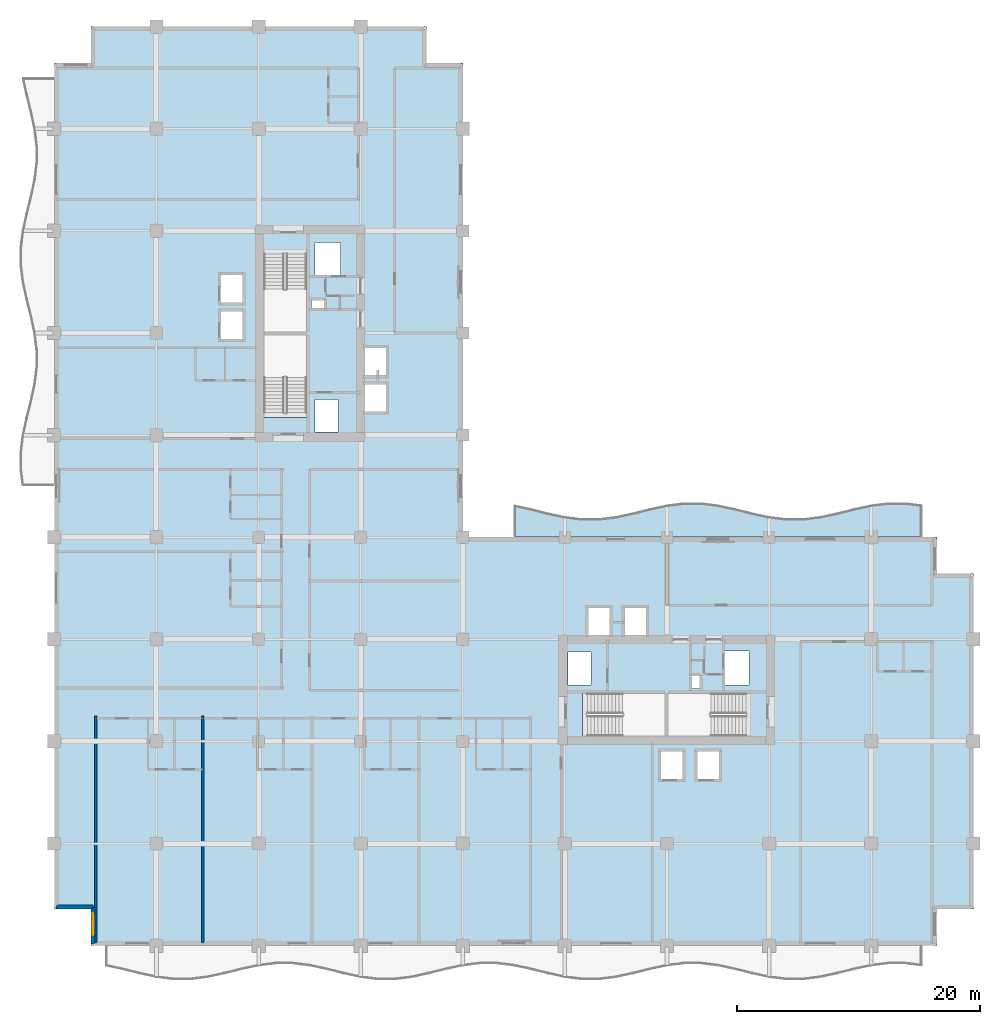
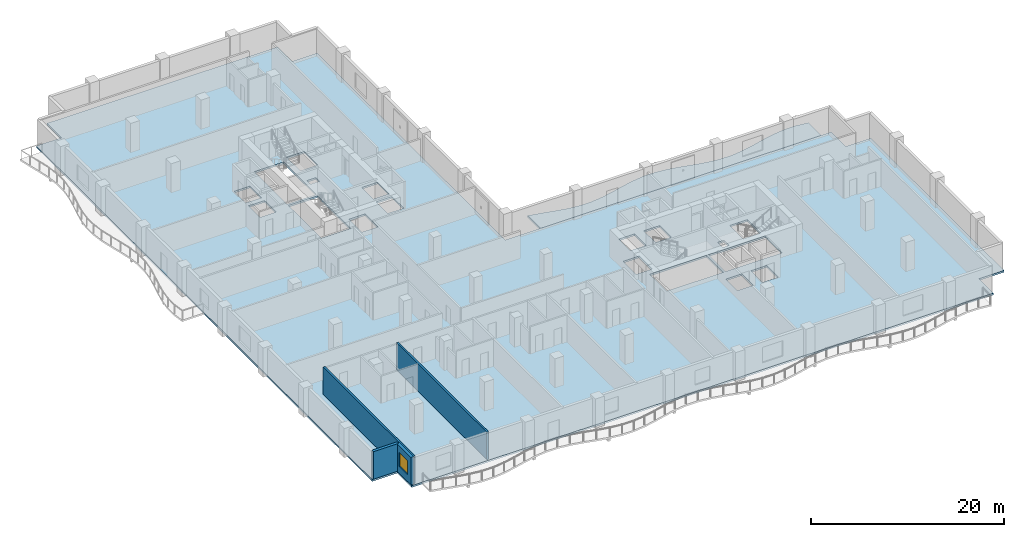
# One storey, part 3 of 16: 4 walls, 2 slabs, 1 window, 1 opening.
"""IFC4 building model written with IfcOpenShell, lengths in metres."""

from ifc_helpers import new_model, si_unit, direction, frame, frame_2d, origin, place, context, subcontext, project, spatial, polyline, rectangle, outline, extrude, material, layer, layer_set, type_object, element, fill, save


model = new_model("IFC4")

# Units and contexts
model_context = context("Model", 3, precision=1e-05, world=origin(), true_north=direction((0.0, 1.0)))
body_context = subcontext(model_context, "Body", "Model", "MODEL_VIEW")
ifc_project = project(units=[si_unit("LENGTHUNIT", "METRE"), si_unit("AREAUNIT", "SQUARE_METRE"), si_unit("VOLUMEUNIT", "CUBIC_METRE"), si_unit("PLANEANGLEUNIT", "RADIAN"), si_unit("MASSUNIT", "GRAM", prefix="KILO")], contexts=[model_context])

# Site, building, storey
site_placement = place(None, origin())
site = spatial("IfcSite", under=ifc_project, at=site_placement, CompositionType="ELEMENT")
building_placement = place(site_placement, origin())
building = spatial("IfcBuilding", under=site, at=building_placement, Name="Koriwani Terraces Tower", CompositionType="ELEMENT")
storey_placement = place(building_placement, frame((0.0, 0.0, 171.699951171875)))
storey = spatial("IfcBuildingStorey", under=building, at=storey_placement, Name="L41", CompositionType="ELEMENT", Elevation=171.699951171875)

# Slabs
ifc_material_1 = material(Name="Concrete C40/50", Category="concrete")
ifc_layer_1 = layer(ifc_material_1, 0.219970703125, Name="Concrete C40/50")
ifc_layer_set_1 = layer_set([ifc_layer_1], Name="Concrete C40/50")
slab_type_1 = type_object("IfcSlabType", Name="SLAB_BALCONY_220", PredefinedType="FLOOR", material=ifc_layer_set_1)
slab_1_placement = place(storey_placement, frame((0.0, 0.0, -0.219970703125)))
element("IfcSlab", 1, at=slab_1_placement, inside=storey, type_object=slab_type_1, Name="L41 Quilted Circular-Arc Balcony (NE)", PredefinedType="FLOOR", context=body_context, shape_type="SweptSolid", body=[
    extrude(outline(polyline([(71.39990234375, 33.60009765625), (70.0, 33.60009765625), (68.60009765625, 33.60009765625), (67.199951171875, 33.60009765625), (65.800048828125, 33.60009765625), (64.39990234375, 33.60009765625), (63.0, 33.60009765625), (61.60009765625, 33.60009765625), (60.199951171875, 33.60009765625), (58.800048828125, 33.60009765625), (57.39990234375, 33.60009765625), (56.0, 33.60009765625), (54.60009765625, 33.60009765625), (53.199951171875, 33.60009765625), (51.800048828125, 33.60009765625), (50.39990234375, 33.60009765625), (49.0, 33.60009765625), (47.60009765625, 33.60009765625), (46.199951171875, 33.60009765625), (44.800048828125, 33.60009765625), (43.39990234375, 33.60009765625), (42.0, 33.60009765625), (40.60009765625, 33.60009765625), (39.199951171875, 33.60009765625), (37.800048828125, 33.60009765625), (37.800048828125, 36.252197265625), (39.199951171875, 35.94970703125), (40.60009765625, 35.600341796875), (42.0, 35.297607421875), (43.39990234375, 35.123046875), (44.800048828125, 35.123046875), (46.199951171875, 35.297607421875), (47.60009765625, 35.600341796875), (49.0, 35.94970703125), (50.39990234375, 36.252197265625), (51.800048828125, 36.427001953125), (53.199951171875, 36.427001953125), (54.60009765625, 36.252197265625), (56.0, 35.94970703125), (57.39990234375, 35.600341796875), (58.800048828125, 35.297607421875), (60.199951171875, 35.123046875), (61.60009765625, 35.123046875), (63.0, 35.297607421875), (64.39990234375, 35.600341796875), (65.800048828125, 35.94970703125), (67.199951171875, 36.252197265625), (68.60009765625, 36.427001953125), (70.0, 36.427001953125), (71.39990234375, 36.252197265625), (71.39990234375, 33.60009765625)])), origin(), (0.0, 0.0, 1.0), 0.219970703125),
])
ifc_layer_2 = layer(ifc_material_1, 0.22998046875, Name="Concrete C40/50")
ifc_layer_set_2 = layer_set([ifc_layer_2], Name="Concrete C40/50")
slab_type_2 = type_object("IfcSlabType", Name="SLAB_RES_TYP_230", PredefinedType="FLOOR", material=ifc_layer_set_2)
slab_2_placement = place(storey_placement, frame((0.0, 0.0, -0.22998046875)))
element("IfcSlab", 2, at=slab_2_placement, inside=storey, type_object=slab_type_2, Name="L41 Structural Floor Slab", PredefinedType="FLOOR", context=body_context, shape_type="SweptSolid", body=[
    extrude(outline(polyline([(3.0, 0.0), (72.60009765625, 0.0), (72.60009765625, 3.0), (75.60009765625, 3.0), (75.60009765625, 30.60009765625), (72.60009765625, 30.60009765625), (72.60009765625, 33.60009765625), (33.60009765625, 33.60009765625), (33.60009765625, 72.60009765625), (30.60009765625, 72.60009765625), (30.60009765625, 75.60009765625), (3.0, 75.60009765625), (3.0, 72.60009765625), (0.0, 72.60009765625), (0.0, 3.0), (3.0, 3.0), (3.0, 0.0)]), holes=[polyline([(17.25, 43.4599609375), (20.75, 43.4599609375), (20.75, 50.25), (17.25, 50.25), (17.25, 43.4599609375)]), polyline([(17.25, 50.5), (20.75, 50.5), (20.75, 57.2900390625), (17.25, 57.2900390625), (17.25, 50.5)]), polyline([(43.4599609375, 17.25), (50.25, 17.25), (50.25, 20.75), (43.4599609375, 20.75), (43.4599609375, 17.25)]), polyline([(50.5, 17.25), (57.2900390625, 17.25), (57.2900390625, 20.75), (50.5, 20.75), (50.5, 17.25)]), polyline([(13.64990234375, 49.85009765625), (15.550048828125, 49.85009765625), (15.550048828125, 52.25), (13.64990234375, 52.25), (13.64990234375, 49.85009765625)]), polyline([(13.64990234375, 52.85009765625), (15.550048828125, 52.85009765625), (15.550048828125, 55.25), (13.64990234375, 55.25), (13.64990234375, 52.85009765625)]), polyline([(49.85009765625, 13.64990234375), (51.75, 13.64990234375), (51.75, 16.050048828125), (49.85009765625, 16.050048828125), (49.85009765625, 13.64990234375)]), polyline([(52.85009765625, 13.64990234375), (54.75, 13.64990234375), (54.75, 16.050048828125), (52.85009765625, 16.050048828125), (52.85009765625, 13.64990234375)]), polyline([(25.449951171875, 43.85009765625), (27.35009765625, 43.85009765625), (27.35009765625, 46.25), (25.449951171875, 46.25), (25.449951171875, 43.85009765625)]), polyline([(25.449951171875, 46.85009765625), (27.35009765625, 46.85009765625), (27.35009765625, 49.25), (25.449951171875, 49.25), (25.449951171875, 46.85009765625)]), polyline([(43.85009765625, 25.449951171875), (45.75, 25.449951171875), (45.75, 27.85009765625), (43.85009765625, 27.85009765625), (43.85009765625, 25.449951171875)]), polyline([(46.85009765625, 25.449951171875), (48.75, 25.449951171875), (48.75, 27.85009765625), (46.85009765625, 27.85009765625), (46.85009765625, 25.449951171875)]), polyline([(21.449951171875, 55.050048828125), (23.550048828125, 55.050048828125), (23.550048828125, 57.85009765625), (21.449951171875, 57.85009765625), (21.449951171875, 55.050048828125)]), polyline([(55.050048828125, 21.449951171875), (57.14990234375, 21.449951171875), (57.14990234375, 24.25), (55.050048828125, 24.25), (55.050048828125, 21.449951171875)]), polyline([(21.449951171875, 42.25), (23.35009765625, 42.25), (23.35009765625, 44.949951171875), (21.449951171875, 44.949951171875), (21.449951171875, 42.25)]), polyline([(42.25, 21.449951171875), (44.14990234375, 21.449951171875), (44.14990234375, 24.14990234375), (42.25, 24.14990234375), (42.25, 21.449951171875)]), polyline([(21.14990234375, 52.419921875), (22.219970703125, 52.419921875), (22.219970703125, 53.179931640625), (21.14990234375, 53.179931640625), (21.14990234375, 52.419921875)]), polyline([(52.419921875, 21.14990234375), (53.179931640625, 21.14990234375), (53.179931640625, 22.219970703125), (52.419921875, 22.219970703125), (52.419921875, 21.14990234375)])]), origin(), (0.0, 0.0, 1.0), 0.22998046875),
])

# Walls
ifc_material_2 = material(Name="Autoclaved Cellular Concrete Blockwork", Category="masonry")
ifc_layer_3 = layer(ifc_material_2, 0.219970703125, Name="Autoclaved Cellular Concrete Blockwork")
ifc_layer_set_3 = layer_set([ifc_layer_3], Name="Autoclaved Cellular Concrete Blockwork")
wall_type_1 = type_object("IfcWallType", Name="WALL_DEMISING_220", PredefinedType="PARTITIONING", material=ifc_layer_set_3)
for number, where, z_axis, x_axis, name in (
    (3, (3.39990234375, 0.199951171875, 0.0), (0.0, 0.0, 1.0), (0.0, 1.0, 0.0), "L41 Interior Wall WRDEM-L41-SW-0"),
    (4, (12.199951171875, 0.199951171875, 0.0), (0.0, 0.0, 1.0), (0.0, 1.0, 0.0), "L41 Interior Wall WRDEM-L41-SW-1"),
):
    element("IfcWall", number, at=place(storey_placement, frame(where, z_axis=z_axis, x_axis=x_axis)), inside=storey, type_object=wall_type_1, Name=name, PredefinedType="PARTITIONING", context=body_context, shape_type="SweptSolid", body=[
        extrude(rectangle(XDim=18.679931640625, YDim=0.219970703125, at=frame_2d((9.33984375, 0.0))), origin(), (0.0, 0.0, 1.0), 3.469970703125),
    ])

# Wall, opening, window
ifc_material_3 = material(Name="Concrete C50/60", Category="concrete")
ifc_layer_4 = layer(ifc_material_3, 0.35009765625, Name="Concrete C50/60")
ifc_layer_set_4 = layer_set([ifc_layer_4], Name="Concrete C50/60")
wall_type_2 = type_object("IfcWallType", Name="WALL_EXT_BRUTALIST_350", PredefinedType="STANDARD", material=ifc_layer_set_4)
wall_1_placement = place(storey_placement, frame((3.175048828125, 0.175048828125, 0.0), z_axis=(0.0, 0.0, 1.0), x_axis=(0.0, 1.0, 0.0)))
wall_1 = element("IfcWall", 5, at=wall_1_placement, inside=storey, type_object=wall_type_2, Name="L41 Fair-Faced Brutalist Exterior Wall (N0)", PredefinedType="STANDARD", context=body_context, shape_type="SweptSolid", body=[
    extrude(rectangle(XDim=3.0, YDim=0.35009765625, at=frame_2d((1.5, 0.0))), origin(), (0.0, 0.0, 1.0), 3.469970703125),
])
opening_placement = place(wall_1_placement, frame((0.677490234375, 0.0, 0.85009765625)))
opening = element("IfcOpeningElement", 6, at=opening_placement, cuts=wall_1, Name="Opening W-04", PredefinedType="OPENING", context=body_context, shape_type="SweptSolid", body=[
    extrude(rectangle(XDim=1.800048828125, YDim=1.800048828125, at=frame_2d((0.89990234375, 0.89990234375))), frame((0.0, 0.18505859375, 0.0), z_axis=(0.0, -1.0, 0.0), x_axis=(1.0, 0.0, 0.0)), (0.0, 0.0, 1.0), 0.3701171875),
])
ifc_material_4 = material(Name="Tempered Laminated Low-E Glass", Category="glass")
window_type = type_object("IfcWindowType", Name="WIN_RES_BED_1800X1800", PartitioningType="DOUBLE_PANEL_VERTICAL", PredefinedType="WINDOW", material=ifc_material_4)
window_placement = place(opening_placement, origin())
window = element("IfcWindow", 7, at=window_placement, inside=storey, type_object=window_type, Name="L41 Exterior Window (N0-R34)", OverallHeight=1.800048828125, OverallWidth=1.800048828125, PartitioningType="SINGLE_PANEL", PredefinedType="WINDOW", context=body_context, shape_type="SweptSolid", body=[
    extrude(rectangle(XDim=1.800048828125, YDim=1.800048828125, at=frame_2d((0.89990234375, 0.89990234375))), frame((0.0, 0.030029296875, 0.0), z_axis=(0.0, -1.0, 0.0), x_axis=(1.0, 0.0, 0.0)), (0.0, 0.0, 1.0), 0.06005859375),
])
fill(opening, window)

# Wall
wall_2_placement = place(storey_placement, frame((3.175048828125, 3.175048828125, 0.0), z_axis=(0.0, 0.0, 1.0), x_axis=(-1.0, 0.0, 0.0)))
element("IfcWall", 8, at=wall_2_placement, inside=storey, type_object=wall_type_2, Name="L41 Fair-Faced Brutalist Exterior Wall (N1)", PredefinedType="STANDARD", context=body_context, shape_type="SweptSolid", body=[
    extrude(rectangle(XDim=3.0, YDim=0.35009765625, at=frame_2d((1.5, 0.0))), origin(), (0.0, 0.0, 1.0), 3.469970703125),
])

save(model, "model.ifc")
